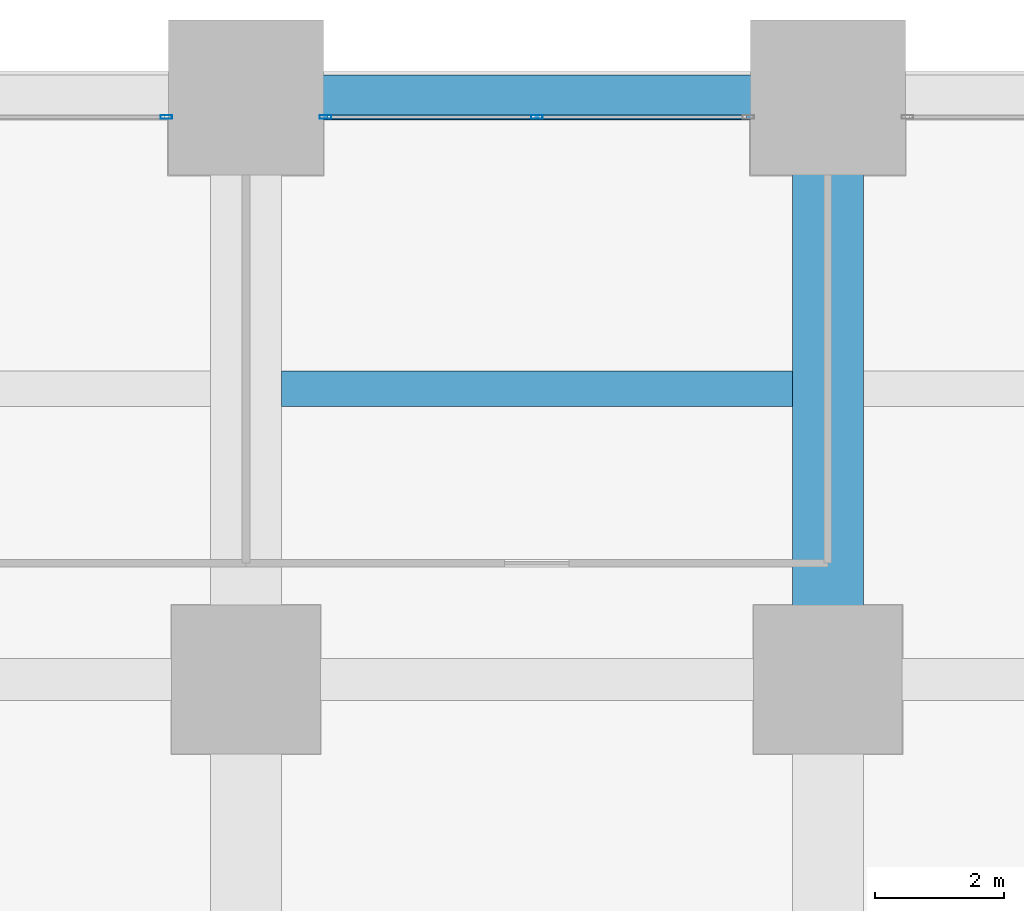
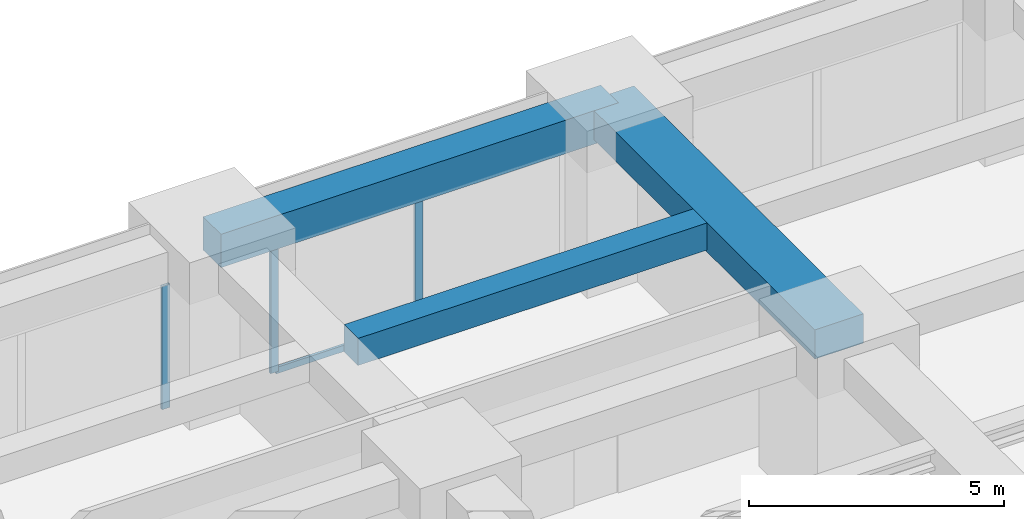
# One storey, part 29 of 45: 4 members, 3 beams, 2 elements without a shape of their own.
"""IFC4 building model written with IfcOpenShell, lengths in metres."""

from ifc_helpers import new_model, si_unit, direction, frame, origin, origin_2d, place, context, subcontext, project, spatial, rectangle, hollow_rectangle, extrude, material, material_profile, profile_set, type_object, element, aggregate, save


model = new_model("IFC4")

# Units and contexts
model_context = context("Model", 3, precision=1e-05, world=origin(), true_north=direction((0.0, 1.0)))
body_context = subcontext(model_context, "Body", "Model", "MODEL_VIEW")
ifc_project = project(units=[si_unit("LENGTHUNIT", "METRE"), si_unit("AREAUNIT", "SQUARE_METRE"), si_unit("VOLUMEUNIT", "CUBIC_METRE"), si_unit("PLANEANGLEUNIT", "RADIAN"), si_unit("MASSUNIT", "GRAM", prefix="KILO")], contexts=[model_context])

# Site, building, storey
site_placement = place(None, origin())
site = spatial("IfcSite", under=ifc_project, at=site_placement, CompositionType="ELEMENT")
building_placement = place(site_placement, origin())
building = spatial("IfcBuilding", under=site, at=building_placement, Name="Zorevar Civic Tower", CompositionType="ELEMENT")
storey_placement = place(building_placement, frame((0.0, 0.0, 23.800048828125)))
storey = spatial("IfcBuildingStorey", under=building, at=storey_placement, Name="L05", CompositionType="ELEMENT", Elevation=23.800048828125)

# Beams
ifc_material_1 = material(Name="Concrete C50/60", Category="concrete")
ifc_material_profile_1 = material_profile(ifc_material_1, rectangle(XDim=1.10009765625, YDim=0.699951171875, at=origin_2d()), Name="RC 1100x700")
ifc_profile_set_1 = profile_set([ifc_material_profile_1], Name="Concrete C50/60")
beam_type_1 = type_object("IfcBeamType", Name="Beam RC 1100x700", PredefinedType="BEAM", material=ifc_profile_set_1)
beam_1_placement = place(storey_placement, frame((27.0, 45.0, 3.39990234375), z_axis=(0.0, 1.0, 0.0), x_axis=(-1.0, 0.0, 0.0)))
element("IfcBeam", 1, at=beam_1_placement, inside=storey, type_object=beam_type_1, Name="Girder L06", PredefinedType="BEAM", context=body_context, shape_type="SweptSolid", body=[
    extrude(rectangle(XDim=1.10009765625, YDim=0.699951171875, at=origin_2d()), origin(), (0.0, 0.0, 1.0), 9.0),
])
ifc_material_2 = material(Name="Concrete C50/60", Category="concrete")
ifc_material_profile_2 = material_profile(ifc_material_2, rectangle(XDim=0.550048828125, YDim=0.64990234375, at=origin_2d()), Name="RC 550x650")
ifc_profile_set_2 = profile_set([ifc_material_profile_2], Name="Concrete C50/60")
beam_type_2 = type_object("IfcBeamType", Name="Beam RC 550x650", PredefinedType="BEAM", material=ifc_profile_set_2)
beam_2_placement = place(storey_placement, frame((18.550048828125, 49.5, 3.425048828125), z_axis=(1.0, 0.0, 0.0), x_axis=(0.0, 1.0, 0.0)))
element("IfcBeam", 2, at=beam_2_placement, inside=storey, type_object=beam_type_2, Name="Secondary beam L06", PredefinedType="BEAM", context=body_context, shape_type="SweptSolid", body=[
    extrude(rectangle(XDim=0.550048828125, YDim=0.64990234375, at=origin_2d()), origin(), (0.0, 0.0, 1.0), 7.89990234375),
])

# Curtain wall, member
ifc_material_3 = material(Name="Dark grey solar-control glass in black aluminium frame", Category="aluminium")
curtain_wall_type = type_object("IfcCurtainWallType", Name="Curtain wall CW2 low zone", PredefinedType="NOTDEFINED", material=ifc_material_3)
curtain_wall_1_placement = place(storey_placement, origin())
curtain_wall_1 = element("IfcCurtainWall", 3, at=curtain_wall_1_placement, inside=storey, type_object=curtain_wall_type, Name="CW2 L05", PredefinedType="NOTDEFINED")
ifc_material_4 = material(Name="Aluminium, black anodised", Category="aluminium")
ifc_material_profile_3 = material_profile(ifc_material_4, hollow_rectangle(XDim=0.06005859375, YDim=0.179931640625, WallThickness=0.00390625, at=origin_2d()), Name="AL 180x60x4")
ifc_profile_set_3 = profile_set([ifc_material_profile_3], Name="Aluminium, black anodised")
member_type_1 = type_object("IfcMemberType", Name="CW2 mullion AL 180x60x4", PredefinedType="MULLION", material=ifc_profile_set_3)
member_1_placement = place(storey_placement, frame((16.77001953125, 53.699951171875, 0.0), z_axis=(0.0, 0.0, 1.0), x_axis=(0.0, 1.0, 0.0)))
member_1 = element("IfcMember", 4, at=member_1_placement, type_object=member_type_1, Name="CW2 mullion 3", PredefinedType="MULLION", context=body_context, shape_type="SweptSolid", body=[
    extrude(hollow_rectangle(XDim=0.06005859375, YDim=0.179931640625, WallThickness=0.00390625, at=origin_2d()), origin(), (0.0, 0.0, 1.0), 2.949951171875),
])
aggregate(curtain_wall_1, [member_1])

# Curtain wall, members
curtain_wall_2_placement = place(storey_placement, origin())
curtain_wall_2 = element("IfcCurtainWall", 5, at=curtain_wall_2_placement, inside=storey, type_object=curtain_wall_type, Name="CW2 L05", PredefinedType="NOTDEFINED")
member_2_placement = place(storey_placement, frame((19.22998046875, 53.699951171875, 0.0), z_axis=(0.0, 0.0, 1.0), x_axis=(0.0, 1.0, 0.0)))
member_2 = element("IfcMember", 6, at=member_2_placement, type_object=member_type_1, Name="CW2 mullion 1", PredefinedType="MULLION", context=body_context, shape_type="SweptSolid", body=[
    extrude(hollow_rectangle(XDim=0.06005859375, YDim=0.179931640625, WallThickness=0.00390625, at=origin_2d()), origin(), (0.0, 0.0, 1.0), 2.949951171875),
])
member_3_placement = place(storey_placement, frame((22.5, 53.699951171875, 0.06005859375), z_axis=(0.0, 0.0, 1.0), x_axis=(0.0, 1.0, 0.0)))
member_3 = element("IfcMember", 7, at=member_3_placement, type_object=member_type_1, Name="CW2 mullion 2", PredefinedType="MULLION", context=body_context, shape_type="SweptSolid", body=[
    extrude(hollow_rectangle(XDim=0.06005859375, YDim=0.179931640625, WallThickness=0.00390625, at=origin_2d()), origin(), (0.0, 0.0, 1.0), 2.889892578125),
])
ifc_material_5 = material(Name="Aluminium, black anodised", Category="aluminium")
ifc_material_profile_4 = material_profile(ifc_material_5, hollow_rectangle(XDim=0.06005859375, YDim=0.14990234375, WallThickness=0.00390625, at=origin_2d()), Name="AL 150x60x4")
ifc_profile_set_4 = profile_set([ifc_material_profile_4], Name="Aluminium, black anodised")
member_type_2 = type_object("IfcMemberType", Name="CW2 transom AL 150x60x4", PredefinedType="USERDEFINED", material=ifc_profile_set_4)
member_4_placement = place(storey_placement, frame((19.260009765625, 53.699951171875, 0.030029296875), z_axis=(1.0, 0.0, 0.0), x_axis=(0.0, 1.0, 0.0)))
member_4 = element("IfcMember", 8, at=member_4_placement, type_object=member_type_2, Name="CW2 sill transom", ObjectType="TRANSOM", PredefinedType="USERDEFINED", context=body_context, shape_type="SweptSolid", body=[
    extrude(hollow_rectangle(XDim=0.06005859375, YDim=0.14990234375, WallThickness=0.00390625, at=origin_2d()), origin(), (0.0, 0.0, 1.0), 6.47998046875),
])
aggregate(curtain_wall_2, [member_2, member_3, member_4])

# Beam
ifc_material_6 = material(Name="Concrete C50/60", Category="concrete")
ifc_material_profile_5 = material_profile(ifc_material_6, rectangle(XDim=0.699951171875, YDim=0.800048828125, at=origin_2d()), Name="RC 700x800")
ifc_profile_set_5 = profile_set([ifc_material_profile_5], Name="Concrete C50/60")
beam_type_3 = type_object("IfcBeamType", Name="Edge beam RC 700x800", PredefinedType="SPANDREL", material=ifc_profile_set_5)
beam_3_placement = place(storey_placement, frame((18.0, 54.0, 3.349853515625), z_axis=(1.0, 0.0, 0.0), x_axis=(0.0, 1.0, 0.0)))
element("IfcBeam", 9, at=beam_3_placement, inside=storey, type_object=beam_type_3, Name="Edge beam L06", PredefinedType="SPANDREL", context=body_context, shape_type="SweptSolid", body=[
    extrude(rectangle(XDim=0.699951171875, YDim=0.800048828125, at=origin_2d()), origin(), (0.0, 0.0, 1.0), 9.0),
])

save(model, "model.ifc")
